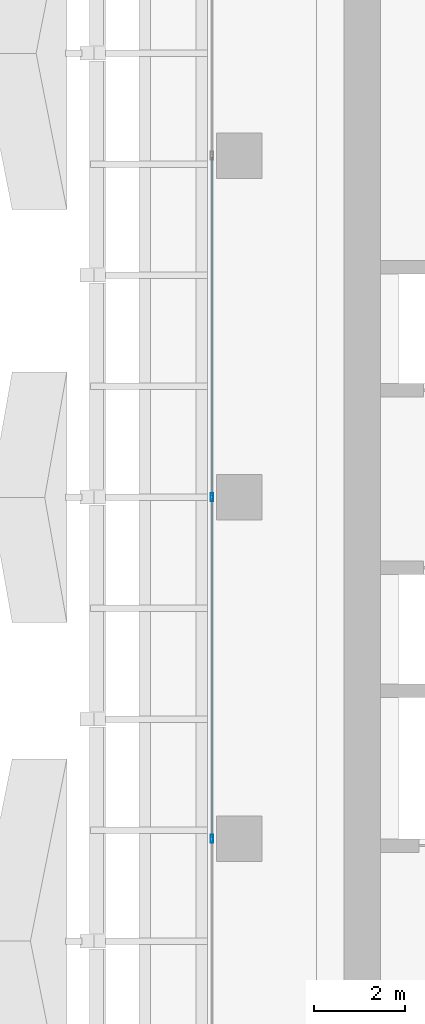
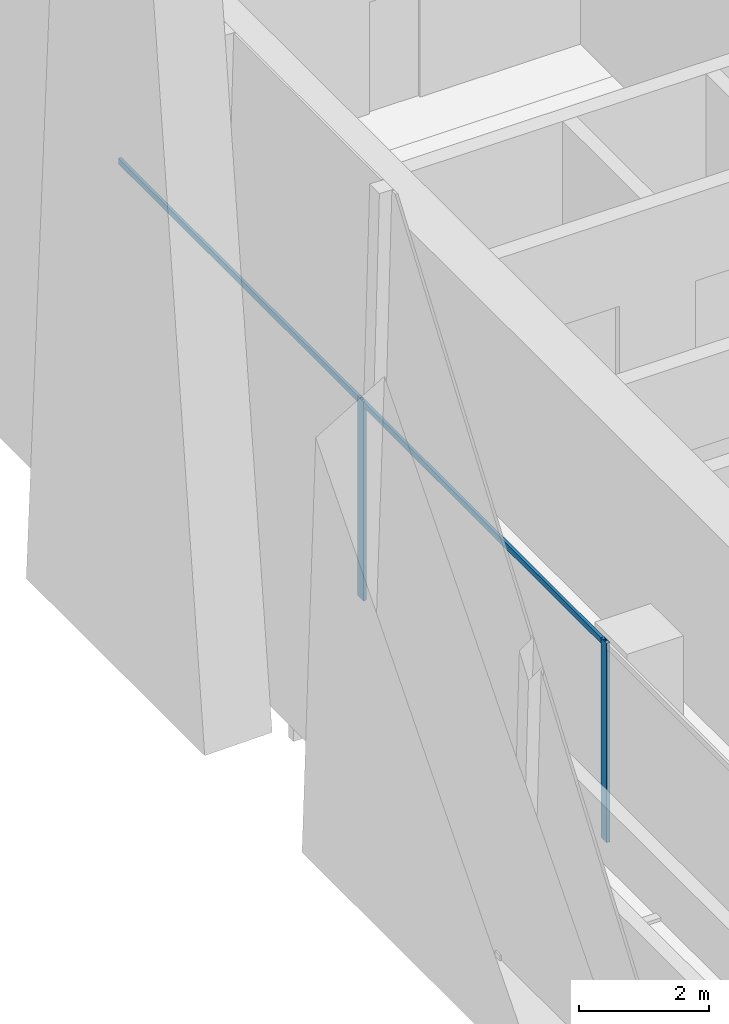
# One storey, part 5 of 43: 4 members, 1 element without a shape of its own.
"""IFC4 building model written with IfcOpenShell, lengths in metres."""

import ifcopenshell
import ifcopenshell.guid

model = None  # the IFC model being written
_history = None  # IfcOwnerHistory: only IFC2X3 demands one
_inside = {}  # id of a spatial element -> (the spatial element, [elements in it])
_under = {}  # id of a project, library or spatial element -> (it, [spatial elements below it])
_declared = {}  # id of a project -> (the project, [libraries it declares])
_typed = {}  # id of a type object -> (the type object, [elements of that type])
_made_of = {}  # id of a material, layer set ... -> (it, [elements and type objects made of it])


def new_model(schema):
    """Start an empty IFC model of exactly this schema.

    Asked for "IFC4X3", IfcOpenShell would pick the latest addendum, in which some entities
    have other attributes; the version numbers below select the first issue.
    IFC2X3 requires an IfcOwnerHistory on every rooted entity: one is made here for all.
    """
    global model, _history
    if schema == "IFC4X3":
        model = ifcopenshell.file(schema_version=(4, 3, 0, 0))
    else:
        model = ifcopenshell.file(schema=schema)
    _inside.clear()
    _under.clear()
    _declared.clear()
    _typed.clear()
    _made_of.clear()
    _history = None
    if model.schema == "IFC2X3":
        org = make("IfcOrganization", Name="unknown")
        user = make(
            "IfcPersonAndOrganization",
            ThePerson=make("IfcPerson", FamilyName="unknown"),
            TheOrganization=org,
        )
        app = make(
            "IfcApplication",
            ApplicationDeveloper=org,
            Version="unknown",
            ApplicationFullName="unknown",
            ApplicationIdentifier="unknown",
        )
        _history = make(
            "IfcOwnerHistory",
            OwningUser=user,
            OwningApplication=app,
            ChangeAction="ADDED",
            CreationDate=0,
        )
    return model


def make(cls, **values):
    """One entity of the class cls with the attributes given. An attribute that is None is left unset."""
    return model.create_entity(
        cls, **{name: value for name, value in values.items() if value is not None}
    )


def rooted(cls, **values):
    """An entity with a GlobalId (a new one), such as an element, a storey or a relation."""
    return make(cls, GlobalId=ifcopenshell.guid.new(), OwnerHistory=_history, **values)


def si_unit(unit_type, name, prefix=None):
    """IfcSIUnit, for example si_unit("LENGTHUNIT", "METRE", prefix="MILLI")."""
    return make("IfcSIUnit", UnitType=unit_type, Prefix=prefix, Name=name)


def assignment(units):
    """IfcUnitAssignment: the units of a project."""
    return None if units is None else make("IfcUnitAssignment", Units=units)


def point(xyz):
    """IfcCartesianPoint."""
    return None if xyz is None else make("IfcCartesianPoint", Coordinates=xyz)


def direction(xyz):
    """IfcDirection."""
    return None if xyz is None else make("IfcDirection", DirectionRatios=xyz)


def frame(location, z_axis=None, x_axis=None):
    """IfcAxis2Placement3D, a coordinate frame: its origin and axes. An axis left out is left unset."""
    return make(
        "IfcAxis2Placement3D",
        Location=point(location),
        Axis=direction(z_axis),
        RefDirection=direction(x_axis),
    )


def frame_2d(location, x_axis=None):
    """IfcAxis2Placement2D, a coordinate frame in the plane: its origin and x axis."""
    return make(
        "IfcAxis2Placement2D", Location=point(location), RefDirection=direction(x_axis)
    )


def origin():
    """The frame at (0, 0, 0) with its axes left unset."""
    return frame((0.0, 0.0, 0.0))


def origin_2d():
    """The frame at (0, 0) in the plane with its x axis left unset."""
    return frame_2d((0.0, 0.0))


def place(relative_to, where):
    """IfcLocalPlacement: puts the frame where relative to a parent placement (None: the world)."""
    return make(
        "IfcLocalPlacement", PlacementRelTo=relative_to, RelativePlacement=where
    )


def context(
    kind, dimensions, precision=None, world=None, true_north=None, identifier=None
):
    """IfcGeometricRepresentationContext, for example the 3D "Model" context."""
    return make(
        "IfcGeometricRepresentationContext",
        ContextIdentifier=identifier,
        ContextType=kind,
        CoordinateSpaceDimension=dimensions,
        Precision=precision,
        WorldCoordinateSystem=world,
        TrueNorth=true_north,
    )


def subcontext(parent, identifier, kind, view, scale=None):
    """IfcGeometricRepresentationSubContext, for example "Body" below "Model"."""
    return make(
        "IfcGeometricRepresentationSubContext",
        ContextIdentifier=identifier,
        ContextType=kind,
        ParentContext=parent,
        TargetScale=scale,
        TargetView=view,
    )


def project(units=None, contexts=None):
    """IfcProject with its units and contexts."""
    return rooted(
        "IfcProject",
        Name="project",
        RepresentationContexts=contexts,
        UnitsInContext=assignment(units),
    )


def spatial(cls, under=None, at=None, **own):
    """A site, building, storey or space (cls), placed at a placement, below another one or the project."""
    s = rooted(cls, ObjectPlacement=at, **own)
    if under is not None:
        _under.setdefault(under.id(), (under, []))[1].append(s)
    return s


def profile(cls, at=None, kind="AREA", **sizes):
    """A parametric profile (cls). Its sizes go by their IFC names, for example OverallWidth=200.0."""
    return make(cls, ProfileType=kind, Position=at, **sizes)


def hollow_rectangle(**sizes):
    """IfcRectangleHollowProfileDef."""
    return profile("IfcRectangleHollowProfileDef", **sizes)


def extrude(swept, where, along, depth):
    """IfcExtrudedAreaSolid: the profile swept, set in the frame where, extruded along a direction by depth."""
    return make(
        "IfcExtrudedAreaSolid",
        SweptArea=swept,
        Position=where,
        ExtrudedDirection=direction(along),
        Depth=depth,
    )


def shape(context_of_items, identifier, shape_type, items):
    """IfcShapeRepresentation: the items that make up one representation, for example the "Body"."""
    return make(
        "IfcShapeRepresentation",
        ContextOfItems=context_of_items,
        RepresentationIdentifier=identifier,
        RepresentationType=shape_type,
        Items=items,
    )


def source(mapping_origin, context_of_items, identifier, shape_type, items):
    """IfcRepresentationMap: a shape defined once, which mapped items show again and again."""
    return make(
        "IfcRepresentationMap",
        MappingOrigin=mapping_origin,
        MappedRepresentation=shape(context_of_items, identifier, shape_type, items),
    )


def transform(
    local_origin,
    x_axis=None,
    y_axis=None,
    z_axis=None,
    scale=None,
    scale2=None,
    scale3=None,
    uniform=True,
):
    """IfcCartesianTransformationOperator3D, or its non-uniform kind. x_axis, y_axis, z_axis: its Axis1, 2, 3."""
    if uniform:
        return make(
            "IfcCartesianTransformationOperator3D",
            Axis1=direction(x_axis),
            Axis2=direction(y_axis),
            LocalOrigin=point(local_origin),
            Scale=scale,
            Axis3=direction(z_axis),
        )
    return make(
        "IfcCartesianTransformationOperator3DnonUniform",
        Axis1=direction(x_axis),
        Axis2=direction(y_axis),
        LocalOrigin=point(local_origin),
        Scale=scale,
        Axis3=direction(z_axis),
        Scale2=scale2,
        Scale3=scale3,
    )


def mapped(mapping_source, mapping_target):
    """IfcMappedItem: shows the shape of a source again, moved by a transform."""
    return make(
        "IfcMappedItem", MappingSource=mapping_source, MappingTarget=mapping_target
    )


def material(Name=None, Category=None):
    """IfcMaterial."""
    return make("IfcMaterial", Name=Name, Category=Category)


def material_profile(
    of_material, cross_section, Name=None, Category=None, Priority=None
):
    """IfcMaterialProfile: a cross section and its material."""
    return make(
        "IfcMaterialProfile",
        Name=Name,
        Material=of_material,
        Profile=cross_section,
        Priority=Priority,
        Category=Category,
    )


def profile_set(profiles, Name=None, composite=None):
    """IfcMaterialProfileSet."""
    return make(
        "IfcMaterialProfileSet",
        Name=Name,
        MaterialProfiles=profiles,
        CompositeProfile=composite,
    )


def made_of(thing, what):
    """Note that an element or type object is made of a material, layer set ...; save() writes the relation."""
    if what is not None:
        _made_of.setdefault(what.id(), (what, []))[1].append(thing)
    return thing


def type_object(cls, material=None, **own):
    """A type object (cls), such as IfcWallType, which elements share."""
    return made_of(rooted(cls, **own), material)


def element(
    cls,
    number,
    at=None,
    inside=None,
    cuts=None,
    type_object=None,
    material=None,
    context=None,
    identifier="Body",
    shape_type=None,
    held_by="IfcProductDefinitionShape",
    body=None,
    shapes=None,
    **own,
):
    """One element of the class cls, such as IfcWall. Its Tag is "e" and its number.

    at: its placement. inside: the storey or other place that contains it. cuts: it is an
    opening in that element (IfcRelVoidsElement). A single representation is given by context,
    identifier, shape_type and body (its items); several are given by shapes. held_by: the class
    of the entity that holds the representations. save() writes the other relations.
    """
    e = rooted(cls, Tag="e%d" % number, ObjectPlacement=at, **own)
    if body is not None:
        shapes = [shape(context, identifier, shape_type, body)]
    if shapes is not None:
        e.Representation = make(held_by, Representations=shapes)
    if inside is not None:
        _inside.setdefault(inside.id(), (inside, []))[1].append(e)
    if cuts is not None:
        rooted(
            "IfcRelVoidsElement", RelatingBuildingElement=cuts, RelatedOpeningElement=e
        )
    if type_object is not None:
        _typed.setdefault(type_object.id(), (type_object, []))[1].append(e)
    return made_of(e, material)


def aggregate(whole, parts):
    """IfcRelAggregates: a whole, such as a stair, and the parts it consists of."""
    return rooted("IfcRelAggregates", RelatingObject=whole, RelatedObjects=parts)


def save(model, path):
    """Write the relations noted so far, then the file.

    IfcRelAggregates (storeys below a building ...), IfcRelContainedInSpatialStructure (elements
    in a storey), IfcRelDefinesByType, IfcRelAssociatesMaterial and IfcRelDeclares: one each for
    every whole, place, type object, material and project.
    """
    for whole, parts in _under.values():
        aggregate(whole, parts)
    for where, things in _inside.values():
        rooted(
            "IfcRelContainedInSpatialStructure",
            RelatedElements=things,
            RelatingStructure=where,
        )
    for kind, things in _typed.values():
        rooted("IfcRelDefinesByType", RelatedObjects=things, RelatingType=kind)
    for what, things in _made_of.values():
        rooted("IfcRelAssociatesMaterial", RelatedObjects=things, RelatingMaterial=what)
    for by, libraries in _declared.values():
        rooted("IfcRelDeclares", RelatingContext=by, RelatedDefinitions=libraries)
    model.write(path)


model = new_model("IFC4")

# Units and contexts
model_context = context("Model", 3, precision=1e-05, world=origin(), true_north=direction((0.0, 1.0)))
body_context = subcontext(model_context, "Body", "Model", "MODEL_VIEW")
ifc_project = project(units=[si_unit("LENGTHUNIT", "METRE"), si_unit("AREAUNIT", "SQUARE_METRE"), si_unit("VOLUMEUNIT", "CUBIC_METRE"), si_unit("PLANEANGLEUNIT", "RADIAN"), si_unit("MASSUNIT", "GRAM", prefix="KILO")], contexts=[model_context])

# Site, building, storey
site_placement = place(None, origin())
site = spatial("IfcSite", under=ifc_project, at=site_placement, CompositionType="ELEMENT")
building_placement = place(site_placement, origin())
building = spatial("IfcBuilding", under=site, at=building_placement, Name="Khomas Fold Tower", CompositionType="ELEMENT")
storey_placement = place(building_placement, frame((0.0, 0.0, 164.699951171875)))
storey = spatial("IfcBuildingStorey", under=building, at=storey_placement, Name="L35", CompositionType="ELEMENT", Elevation=164.699951171875)

# Curtain wall, members
ifc_material_1 = material(Name="Aluminium framed double glazing", Category="aluminium")
curtain_wall_type = type_object("IfcCurtainWallType", Name="SK-Unitised clear-glass wall, office floors CW2", PredefinedType="NOTDEFINED", material=ifc_material_1)
curtain_wall_placement = place(storey_placement, origin())
curtain_wall = element("IfcCurtainWall", 1, at=curtain_wall_placement, inside=storey, type_object=curtain_wall_type, Name="CW2 run L35 18-0", PredefinedType="NOTDEFINED")
ifc_material_2 = material(Name="Aluminium", Category="aluminium")
ifc_material_profile_1 = material_profile(ifc_material_2, hollow_rectangle(XDim=0.06005859375, YDim=0.179931640625, WallThickness=0.00390625, at=origin_2d()), Name="SK-Unitised clear-glass wall, office floors mullion CW2-M")
ifc_profile_set_1 = profile_set([ifc_material_profile_1], Name="Aluminium")
member_type_1 = type_object("IfcMemberType", Name="SK-Unitised clear-glass wall, office floors mullion CW2-M", PredefinedType="MULLION", material=ifc_profile_set_1)
shared_shape_1 = source(origin(), body_context, "Body", "SweptSolid", [
    extrude(hollow_rectangle(XDim=0.06005859375, YDim=0.179931640625, WallThickness=0.00390625, at=origin_2d()), origin(), (0.0, 0.0, 1.0), 3.75),
])
member_1_placement = place(storey_placement, frame((3.10009765625, 27.0, 0.0), z_axis=(0.0, 0.0, 1.0), x_axis=(1.0, 0.0, 0.0)))
member_1 = element("IfcMember", 2, at=member_1_placement, type_object=member_type_1, Name="CW2 mullion 5", PredefinedType="MULLION", context=body_context, shape_type="MappedRepresentation", body=[
    mapped(shared_shape_1, transform((0.0, 0.0, 0.0))),
])
member_2_placement = place(storey_placement, frame((3.10009765625, 19.5, 0.0), z_axis=(0.0, 0.0, 1.0), x_axis=(1.0, 0.0, 0.0)))
member_2 = element("IfcMember", 3, at=member_2_placement, type_object=member_type_1, Name="CW2 mullion 6", PredefinedType="MULLION", context=body_context, shape_type="MappedRepresentation", body=[
    mapped(shared_shape_1, transform((0.0, 0.0, 0.0))),
])
ifc_material_3 = material(Name="Aluminium", Category="aluminium")
ifc_material_profile_2 = material_profile(ifc_material_3, hollow_rectangle(XDim=0.050048828125, YDim=0.110107421875, WallThickness=0.00390625, at=origin_2d()), Name="SK-Unitised clear-glass wall, office floors transom CW2-T")
ifc_profile_set_2 = profile_set([ifc_material_profile_2], Name="Aluminium")
member_type_2 = type_object("IfcMemberType", Name="SK-Unitised clear-glass wall, office floors transom CW2-T", PredefinedType="USERDEFINED", material=ifc_profile_set_2)
shared_shape_2 = source(origin(), body_context, "Body", "SweptSolid", [
    extrude(hollow_rectangle(XDim=0.050048828125, YDim=0.110107421875, WallThickness=0.00390625, at=origin_2d()), origin(), (0.0, 0.0, 1.0), 7.43994140625),
])
member_3_placement = place(storey_placement, frame((3.10009765625, 34.469970703125, 3.695068359375), z_axis=(0.0, -1.0, 0.0), x_axis=(1.0, 0.0, 0.0)))
member_3 = element("IfcMember", 4, at=member_3_placement, type_object=member_type_2, Name="CW2 transom 4", ObjectType="TRANSOM", PredefinedType="USERDEFINED", context=body_context, shape_type="MappedRepresentation", body=[
    mapped(shared_shape_2, transform((0.0, 0.0, 0.0))),
])
member_4_placement = place(storey_placement, frame((3.10009765625, 26.969970703125, 3.695068359375), z_axis=(0.0, -1.0, 0.0), x_axis=(1.0, 0.0, 0.0)))
member_4 = element("IfcMember", 5, at=member_4_placement, type_object=member_type_2, Name="CW2 transom 5", ObjectType="TRANSOM", PredefinedType="USERDEFINED", context=body_context, shape_type="MappedRepresentation", body=[
    mapped(shared_shape_2, transform((0.0, 0.0, 0.0))),
])
aggregate(curtain_wall, [member_1, member_2, member_3, member_4])

save(model, "model.ifc")
